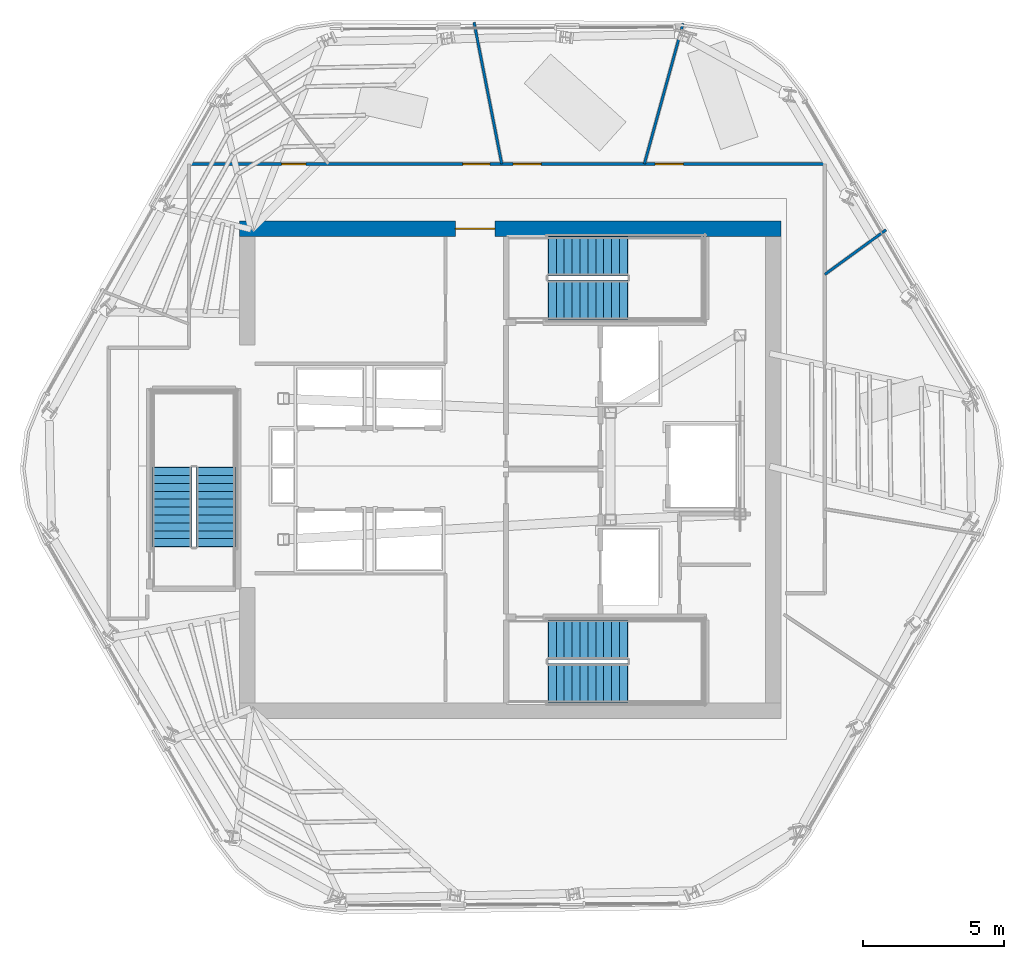
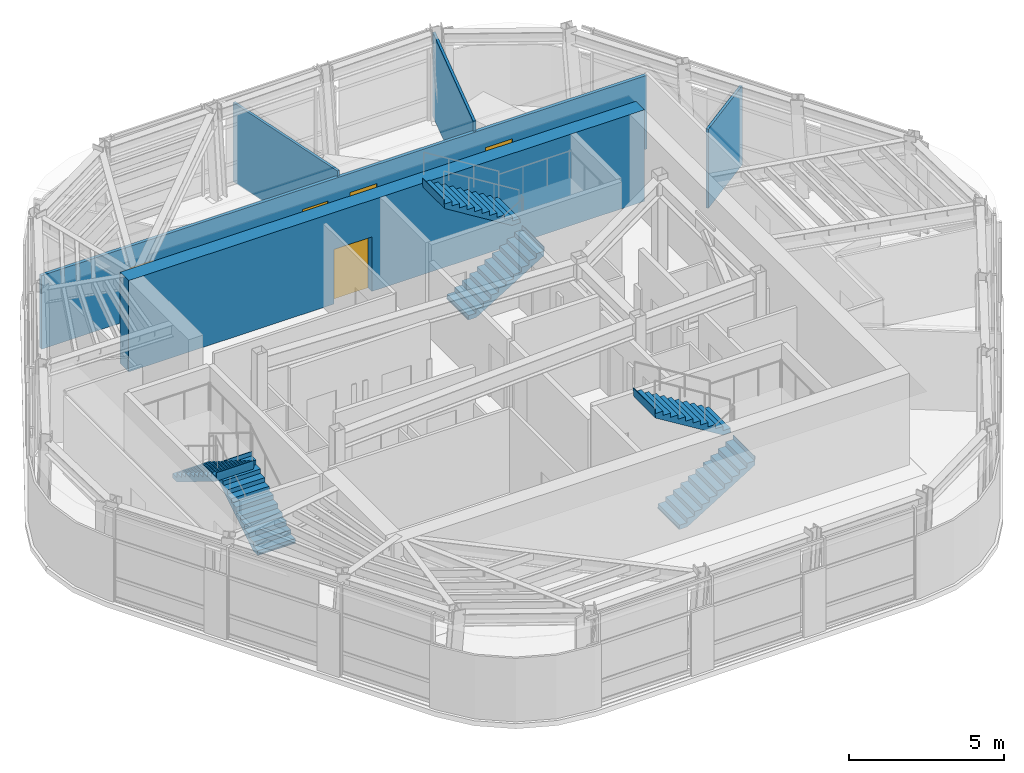
# One storey, part 8 of 13: 6 stair flights, 5 doors, 5 walls, 5 openings, 3 elements without a shape of their own.
"""IFC4 building model written with IfcOpenShell, lengths in metres."""

from ifc_helpers import new_model, si_unit, direction, frame, frame_2d, origin, place, context, subcontext, project, spatial, polyline, rectangle, outline, extrude, material, layer, layer_set, type_object, element, fill, aggregate, save


model = new_model("IFC4")

# Units and contexts
model_context = context("Model", 3, precision=1e-05, world=origin(), true_north=direction((0.0, 1.0)))
body_context = subcontext(model_context, "Body", "Model", "MODEL_VIEW")
ifc_project = project(units=[si_unit("LENGTHUNIT", "METRE"), si_unit("AREAUNIT", "SQUARE_METRE"), si_unit("VOLUMEUNIT", "CUBIC_METRE"), si_unit("PLANEANGLEUNIT", "RADIAN"), si_unit("MASSUNIT", "GRAM", prefix="KILO")], contexts=[model_context])

# Site, building, storey
site_placement = place(None, origin())
site = spatial("IfcSite", under=ifc_project, at=site_placement, CompositionType="ELEMENT")
building_placement = place(site_placement, origin())
building = spatial("IfcBuilding", under=site, at=building_placement, Name="Valkerne Bourse Tower", CompositionType="ELEMENT")
storey_placement = place(building_placement, frame((0.0, 0.0, 285.0)))
storey = spatial("IfcBuildingStorey", under=building, at=storey_placement, Name="L72", CompositionType="ELEMENT", Elevation=285.0)

# Wall, opening, door
ifc_material_1 = material(Name="Concrete C55/67", Category="concrete")
ifc_layer_1 = layer(ifc_material_1, 0.550048828125)
ifc_layer_set_1 = layer_set([ifc_layer_1], Name="Concrete C55/67")
wall_type_1 = type_object("IfcWallType", Name="W-CORE-550", PredefinedType="SHEAR", material=ifc_layer_set_1)
wall_1_placement = place(storey_placement, frame((37.199951171875, 35.425048828125, 0.0), z_axis=(0.0, 0.0, 1.0), x_axis=(1.0, 0.0, 0.0)))
wall_1 = element("IfcWall", 1, at=wall_1_placement, inside=storey, type_object=wall_type_1, Name="L72 Core Shear Wall NORTH", PredefinedType="SHEAR", context=body_context, shape_type="SweptSolid", body=[
    extrude(rectangle(XDim=19.199951171875, YDim=0.550048828125, at=frame_2d((9.60009765625, 0.0))), origin(), (0.0, 0.0, 1.0), 3.60009765625),
])
opening_1_placement = place(wall_1_placement, frame((7.64990234375, 0.0, 0.0)))
opening_1 = element("IfcOpeningElement", 2, at=opening_1_placement, cuts=wall_1, Name="Opening D-PL-1400", PredefinedType="OPENING", context=body_context, shape_type="SweptSolid", body=[
    extrude(rectangle(XDim=1.39990234375, YDim=2.14990234375, at=frame_2d((0.699951171875, 1.074951171875))), frame((0.0, 0.284912109375, 0.0), z_axis=(0.0, -1.0, 0.0), x_axis=(1.0, 0.0, 0.0)), (0.0, 0.0, 1.0), 0.570068359375),
])
ifc_material_2 = material(Name="Galvanised Painted Steel", Category="steel")
door_type_1 = type_object("IfcDoorType", Name="DR-PLT-1400", OperationType="DOUBLE_DOOR_SINGLE_SWING", PredefinedType="DOOR", material=ifc_material_2)
door_1_placement = place(opening_1_placement, origin())
door_1 = element("IfcDoor", 3, at=door_1_placement, inside=storey, type_object=door_type_1, Name="L72 North Passenger Lift Hall Fire Door", OperationType="DOUBLE_DOOR_SINGLE_SWING", OverallHeight=2.14990234375, OverallWidth=1.39990234375, PredefinedType="DOOR", context=body_context, shape_type="SweptSolid", body=[
    extrude(rectangle(XDim=1.39990234375, YDim=2.14990234375, at=frame_2d((0.699951171875, 1.074951171875))), frame((0.0, 0.02490234375, 0.0), z_axis=(0.0, -1.0, 0.0), x_axis=(1.0, 0.0, 0.0)), (0.0, 0.0, 1.0), 0.050048828125),
])
fill(opening_1, door_1)

# Wall, openings, doors
ifc_material_3 = material(Name="Gypsum Board Steel-Stud Partition", Category="steel")
ifc_layer_2 = layer(ifc_material_3, 0.117919921875)
ifc_layer_set_2 = layer_set([ifc_layer_2], Name="Gypsum Board Steel-Stud Partition")
wall_type_2 = type_object("IfcWallType", Name="W-CORR-140", PredefinedType="PARTITIONING", material=ifc_layer_set_2)
wall_2_placement = place(storey_placement, frame((35.39990234375, 37.719970703125, 0.0), z_axis=(0.0, 0.0, 1.0), x_axis=(1.0, 0.0, 0.0)))
wall_2 = element("IfcWall", 4, at=wall_2_placement, inside=storey, type_object=wall_type_2, Name="L72 Corridor Enclosure Wall", PredefinedType="PARTITIONING", context=body_context, shape_type="SweptSolid", body=[
    extrude(rectangle(XDim=22.550048828125, YDim=0.117919921875, at=frame_2d((11.27490234375, 0.0))), origin(), (0.0, 0.0, 1.0), 2.896484375),
])
opening_2_placement = place(wall_2_placement, frame((3.284912109375, 0.0, 0.0)))
opening_2 = element("IfcOpeningElement", 5, at=opening_2_placement, cuts=wall_2, Name="Opening D-WC-900", PredefinedType="OPENING", context=body_context, shape_type="SweptSolid", body=[
    extrude(rectangle(XDim=0.860107421875, YDim=2.050048828125, at=frame_2d((0.43017578125, 1.02490234375))), frame((0.0, 0.06884765625, 0.0), z_axis=(0.0, -1.0, 0.0), x_axis=(1.0, 0.0, 0.0)), (0.0, 0.0, 1.0), 0.137939453125),
])
opening_3_placement = place(wall_2_placement, frame((16.534912109375, 0.0, 0.0)))
opening_3 = element("IfcOpeningElement", 6, at=opening_3_placement, cuts=wall_2, Name="Opening D-MG-1000", PredefinedType="OPENING", context=body_context, shape_type="SweptSolid", body=[
    extrude(rectangle(XDim=1.0, YDim=2.14990234375, at=frame_2d((0.5, 1.074951171875))), frame((0.0, 0.06884765625, 0.0), z_axis=(0.0, -1.0, 0.0), x_axis=(1.0, 0.0, 0.0)), (0.0, 0.0, 1.0), 0.137939453125),
])
opening_4_placement = place(wall_2_placement, frame((11.4951171875, 0.0, 0.0)))
opening_4 = element("IfcOpeningElement", 7, at=opening_4_placement, cuts=wall_2, Name="Opening D-MG-1000", PredefinedType="OPENING", context=body_context, shape_type="SweptSolid", body=[
    extrude(rectangle(XDim=1.0, YDim=2.14990234375, at=frame_2d((0.5, 1.074951171875))), frame((0.0, 0.06884765625, 0.0), z_axis=(0.0, -1.0, 0.0), x_axis=(1.0, 0.0, 0.0)), (0.0, 0.0, 1.0), 0.137939453125),
])
opening_5_placement = place(wall_2_placement, frame((9.719970703125, 0.0, 0.0)))
opening_5 = element("IfcOpeningElement", 8, at=opening_5_placement, cuts=wall_2, Name="Opening D-OF-950", PredefinedType="OPENING", context=body_context, shape_type="SweptSolid", body=[
    extrude(rectangle(XDim=0.949951171875, YDim=2.10009765625, at=frame_2d((0.47509765625, 1.050048828125))), frame((0.0, 0.06884765625, 0.0), z_axis=(0.0, -1.0, 0.0), x_axis=(1.0, 0.0, 0.0)), (0.0, 0.0, 1.0), 0.137939453125),
])
ifc_material_4 = material(Name="Laminated Tempered Safety Glass", Category="glass")
door_type_2 = type_object("IfcDoorType", Name="DR-MTG-1000", OperationType="NOTDEFINED", PredefinedType="DOOR", material=ifc_material_4)
door_2_placement = place(opening_3_placement, origin())
door_2 = element("IfcDoor", 9, at=door_2_placement, inside=storey, type_object=door_type_2, Name="L72 L72 Client Strategy Conference Room 3 Door", OperationType="SINGLE_SWING_RIGHT", OverallHeight=2.14990234375, OverallWidth=1.0, PredefinedType="DOOR", context=body_context, shape_type="SweptSolid", body=[
    extrude(rectangle(XDim=1.0, YDim=2.14990234375, at=frame_2d((0.5, 1.074951171875))), frame((0.0, 0.02490234375, 0.0), z_axis=(0.0, -1.0, 0.0), x_axis=(1.0, 0.0, 0.0)), (0.0, 0.0, 1.0), 0.050048828125),
])
fill(opening_3, door_2)
door_3_placement = place(opening_4_placement, origin())
door_3 = element("IfcDoor", 10, at=door_3_placement, inside=storey, type_object=door_type_2, Name="L72 L72 Client Strategy Conference Room 4 Door", OperationType="SINGLE_SWING_RIGHT", OverallHeight=2.14990234375, OverallWidth=1.0, PredefinedType="DOOR", context=body_context, shape_type="SweptSolid", body=[
    extrude(rectangle(XDim=1.0, YDim=2.14990234375, at=frame_2d((0.5, 1.074951171875))), frame((0.0, 0.02490234375, 0.0), z_axis=(0.0, -1.0, 0.0), x_axis=(1.0, 0.0, 0.0)), (0.0, 0.0, 1.0), 0.050048828125),
])
fill(opening_4, door_3)
ifc_material_5 = material(Name="Architectural White Oak Timber", Category="wood")
door_type_3 = type_object("IfcDoorType", Name="DR-OFF-950", OperationType="NOTDEFINED", PredefinedType="DOOR", material=ifc_material_5)
door_4_placement = place(opening_5_placement, origin())
door_4 = element("IfcDoor", 11, at=door_4_placement, inside=storey, type_object=door_type_3, Name="L72 L72 Commodities Market Showroom 5 Door", OperationType="SINGLE_SWING_RIGHT", OverallHeight=2.10009765625, OverallWidth=0.949951171875, PredefinedType="DOOR", context=body_context, shape_type="SweptSolid", body=[
    extrude(rectangle(XDim=0.949951171875, YDim=2.10009765625, at=frame_2d((0.47509765625, 1.050048828125))), frame((0.0, 0.02490234375, 0.0), z_axis=(0.0, -1.0, 0.0), x_axis=(1.0, 0.0, 0.0)), (0.0, 0.0, 1.0), 0.050048828125),
])
fill(opening_5, door_4)
door_type_4 = type_object("IfcDoorType", Name="DR-WC-900", OperationType="NOTDEFINED", PredefinedType="DOOR", material=ifc_material_5)
door_5_placement = place(opening_2_placement, origin())
door_5 = element("IfcDoor", 12, at=door_5_placement, inside=storey, type_object=door_type_4, Name="L72 L72 Men Bathroom WC 1 Door", OperationType="SINGLE_SWING_RIGHT", OverallHeight=2.050048828125, OverallWidth=0.860107421875, PredefinedType="DOOR", context=body_context, shape_type="SweptSolid", body=[
    extrude(rectangle(XDim=0.860107421875, YDim=2.050048828125, at=frame_2d((0.43017578125, 1.02490234375))), frame((0.0, 0.02490234375, 0.0), z_axis=(0.0, -1.0, 0.0), x_axis=(1.0, 0.0, 0.0)), (0.0, 0.0, 1.0), 0.050048828125),
])
fill(opening_2, door_5)

# Walls
ifc_layer_3 = layer(ifc_material_3, 0.092041015625)
ifc_layer_set_3 = layer_set([ifc_layer_3], Name="Gypsum Board Steel-Stud Partition")
wall_type_3 = type_object("IfcWallType", Name="W-PART-115", PredefinedType="PARTITIONING", material=ifc_layer_set_3)
wall_3_placement = place(storey_placement, frame((51.55419921875, 37.72509765625, 0.0), z_axis=(0.0, 0.0, 1.0), x_axis=(0.265570298049, 0.964091498144, 0.0)))
element("IfcWall", 13, at=wall_3_placement, inside=storey, type_object=wall_type_3, Name="L72 Suite Partition P01", PredefinedType="PARTITIONING", context=body_context, shape_type="SweptSolid", body=[
    extrude(rectangle(XDim=5.169189453125, YDim=0.092041015625, at=frame_2d((2.58447265625, 0.0))), origin(), (0.0, 0.0, 1.0), 3.300048828125),
])
wall_4_placement = place(storey_placement, frame((46.495849609375, 37.72509765625, 0.0), z_axis=(0.0, 0.0, 1.0), x_axis=(-0.192508171196, 0.981295370428, 0.0)))
element("IfcWall", 14, at=wall_4_placement, inside=storey, type_object=wall_type_3, Name="L72 Suite Partition P02", PredefinedType="PARTITIONING", context=body_context, shape_type="SweptSolid", body=[
    extrude(rectangle(XDim=5.115966796875, YDim=0.092041015625, at=frame_2d((2.55810546875, 0.0))), origin(), (0.0, 0.0, 1.0), 3.114990234375),
])
wall_5_placement = place(storey_placement, frame((57.955078125, 33.8037109375, 0.0), z_axis=(0.0, 0.0, 1.0), x_axis=(0.808669290952, 0.588263527572, 0.0)))
element("IfcWall", 15, at=wall_5_placement, inside=storey, type_object=wall_type_3, Name="L72 Suite Partition P07", PredefinedType="PARTITIONING", context=body_context, shape_type="SweptSolid", body=[
    extrude(rectangle(XDim=2.687255859375, YDim=0.092041015625, at=frame_2d((1.34375, 0.0))), origin(), (0.0, 0.0, 1.0), 3.114990234375),
])

# Stair, stair flights
ifc_material_6 = material(Name="Concrete C40/50", Category="concrete")
stair_type = type_object("IfcStairType", Name="ST-CORE-1400", PredefinedType="HALF_TURN_STAIR", material=ifc_material_6)
stair_1_placement = place(storey_placement, origin())
stair_1 = element("IfcStair", 16, at=stair_1_placement, inside=storey, type_object=stair_type, Name="L72 ST-1", PredefinedType="HALF_TURN_STAIR")
stair_flight_type = type_object("IfcStairFlightType", Name="STF-CORE-1400", PredefinedType="STRAIGHT", material=ifc_material_6)
stair_flight_1_placement = place(storey_placement, frame((48.14990234375, 19.300048828125, 0.0), z_axis=(0.0, 0.0, 1.0), x_axis=(1.0, 0.0, 0.0)))
stair_flight_1 = element("IfcStairFlight", 17, at=stair_flight_1_placement, type_object=stair_flight_type, Name="ST-1 flight 1", NumberOfRisers=11, NumberOfTreads=10, PredefinedType="STRAIGHT", RiserHeight=0.172727273, TreadLength=0.28, context=body_context, shape_type="SweptSolid", body=[
    extrude(outline(polyline([(-0.02001953125, 0.0), (-0.02001953125, 0.044921875), (0.0, 0.044921875), (0.0, 0.172607421875), (0.280029296875, 0.172607421875), (0.280029296875, 0.345458984375), (0.56005859375, 0.345458984375), (0.56005859375, 0.51806640625), (0.840087890625, 0.51806640625), (0.840087890625, 0.69091796875), (1.1201171875, 0.69091796875), (1.1201171875, 0.863525390625), (1.39990234375, 0.863525390625), (1.39990234375, 1.036376953125), (1.679931640625, 1.036376953125), (1.679931640625, 1.208984375), (1.9599609375, 1.208984375), (1.9599609375, 1.3818359375), (2.239990234375, 1.3818359375), (2.239990234375, 1.554443359375), (2.52001953125, 1.554443359375), (2.52001953125, 1.727294921875), (2.800048828125, 1.727294921875), (2.800048828125, 1.89990234375), (2.820068359375, 1.89990234375), (2.820068359375, 1.780029296875), (2.800048828125, 1.551025390625), (0.285400390625, 0.0), (-0.02001953125, 0.0)])), frame((0.0, 0.699951171875, 0.0), z_axis=(0.0, -1.0, 0.0), x_axis=(1.0, 0.0, 0.0)), (0.0, 0.0, 1.0), 1.39990234375),
])
stair_flight_2_placement = place(storey_placement, frame((50.949951171875, 20.85009765625, 1.89990234375), z_axis=(0.0, 0.0, 1.0), x_axis=(-1.0, 0.0, 0.0)))
stair_flight_2 = element("IfcStairFlight", 18, at=stair_flight_2_placement, type_object=stair_flight_type, Name="ST-1 flight 2", NumberOfRisers=11, NumberOfTreads=10, PredefinedType="STRAIGHT", RiserHeight=0.172727273, TreadLength=0.28, context=body_context, shape_type="SweptSolid", body=[
    extrude(outline(polyline([(-0.02001953125, 0.0), (-0.02001953125, 0.044921875), (0.0, 0.044921875), (0.0, 0.172607421875), (0.280029296875, 0.172607421875), (0.280029296875, 0.345458984375), (0.56005859375, 0.345458984375), (0.56005859375, 0.51806640625), (0.840087890625, 0.51806640625), (0.840087890625, 0.69091796875), (1.1201171875, 0.69091796875), (1.1201171875, 0.863525390625), (1.39990234375, 0.863525390625), (1.39990234375, 1.036376953125), (1.679931640625, 1.036376953125), (1.679931640625, 1.208984375), (1.9599609375, 1.208984375), (1.9599609375, 1.3818359375), (2.239990234375, 1.3818359375), (2.239990234375, 1.554443359375), (2.52001953125, 1.554443359375), (2.52001953125, 1.727294921875), (2.800048828125, 1.727294921875), (2.800048828125, 1.89990234375), (2.820068359375, 1.89990234375), (2.820068359375, 1.780029296875), (2.800048828125, 1.551025390625), (0.285400390625, 0.0), (-0.02001953125, 0.0)])), frame((0.0, 0.699951171875, 0.0), z_axis=(0.0, -1.0, 0.0), x_axis=(1.0, 0.0, 0.0)), (0.0, 0.0, 1.0), 1.39990234375),
])
aggregate(stair_1, [stair_flight_1, stair_flight_2])

stair_2_placement = place(storey_placement, origin())
stair_2 = element("IfcStair", 19, at=stair_2_placement, inside=storey, type_object=stair_type, Name="L72 ST-2", PredefinedType="HALF_TURN_STAIR")
stair_flight_3_placement = place(storey_placement, frame((48.14990234375, 32.89990234375, 0.0), z_axis=(0.0, 0.0, 1.0), x_axis=(1.0, 0.0, 0.0)))
stair_flight_3 = element("IfcStairFlight", 20, at=stair_flight_3_placement, type_object=stair_flight_type, Name="ST-2 flight 1", NumberOfRisers=11, NumberOfTreads=10, PredefinedType="STRAIGHT", RiserHeight=0.172727273, TreadLength=0.28, context=body_context, shape_type="SweptSolid", body=[
    extrude(outline(polyline([(-0.02001953125, 0.0), (-0.02001953125, 0.044921875), (0.0, 0.044921875), (0.0, 0.172607421875), (0.280029296875, 0.172607421875), (0.280029296875, 0.345458984375), (0.56005859375, 0.345458984375), (0.56005859375, 0.51806640625), (0.840087890625, 0.51806640625), (0.840087890625, 0.69091796875), (1.1201171875, 0.69091796875), (1.1201171875, 0.863525390625), (1.39990234375, 0.863525390625), (1.39990234375, 1.036376953125), (1.679931640625, 1.036376953125), (1.679931640625, 1.208984375), (1.9599609375, 1.208984375), (1.9599609375, 1.3818359375), (2.239990234375, 1.3818359375), (2.239990234375, 1.554443359375), (2.52001953125, 1.554443359375), (2.52001953125, 1.727294921875), (2.800048828125, 1.727294921875), (2.800048828125, 1.89990234375), (2.820068359375, 1.89990234375), (2.820068359375, 1.780029296875), (2.800048828125, 1.551025390625), (0.285400390625, 0.0), (-0.02001953125, 0.0)])), frame((0.0, 0.699951171875, 0.0), z_axis=(0.0, -1.0, 0.0), x_axis=(1.0, 0.0, 0.0)), (0.0, 0.0, 1.0), 1.39990234375),
])
stair_flight_4_placement = place(storey_placement, frame((50.949951171875, 34.449951171875, 1.89990234375), z_axis=(0.0, 0.0, 1.0), x_axis=(-1.0, 0.0, 0.0)))
stair_flight_4 = element("IfcStairFlight", 21, at=stair_flight_4_placement, type_object=stair_flight_type, Name="ST-2 flight 2", NumberOfRisers=11, NumberOfTreads=10, PredefinedType="STRAIGHT", RiserHeight=0.172727273, TreadLength=0.28, context=body_context, shape_type="SweptSolid", body=[
    extrude(outline(polyline([(-0.02001953125, 0.0), (-0.02001953125, 0.044921875), (0.0, 0.044921875), (0.0, 0.172607421875), (0.280029296875, 0.172607421875), (0.280029296875, 0.345458984375), (0.56005859375, 0.345458984375), (0.56005859375, 0.51806640625), (0.840087890625, 0.51806640625), (0.840087890625, 0.69091796875), (1.1201171875, 0.69091796875), (1.1201171875, 0.863525390625), (1.39990234375, 0.863525390625), (1.39990234375, 1.036376953125), (1.679931640625, 1.036376953125), (1.679931640625, 1.208984375), (1.9599609375, 1.208984375), (1.9599609375, 1.3818359375), (2.239990234375, 1.3818359375), (2.239990234375, 1.554443359375), (2.52001953125, 1.554443359375), (2.52001953125, 1.727294921875), (2.800048828125, 1.727294921875), (2.800048828125, 1.89990234375), (2.820068359375, 1.89990234375), (2.820068359375, 1.780029296875), (2.800048828125, 1.551025390625), (0.285400390625, 0.0), (-0.02001953125, 0.0)])), frame((0.0, 0.699951171875, 0.0), z_axis=(0.0, -1.0, 0.0), x_axis=(1.0, 0.0, 0.0)), (0.0, 0.0, 1.0), 1.39990234375),
])
aggregate(stair_2, [stair_flight_3, stair_flight_4])

stair_3_placement = place(storey_placement, origin())
stair_3 = element("IfcStair", 22, at=stair_3_placement, inside=storey, type_object=stair_type, Name="L72 ST-3", PredefinedType="HALF_TURN_STAIR")
stair_flight_5_placement = place(storey_placement, frame((36.35009765625, 24.14990234375, 0.0), z_axis=(0.0, 0.0, 1.0), x_axis=(0.0, 1.0, 0.0)))
stair_flight_5 = element("IfcStairFlight", 23, at=stair_flight_5_placement, type_object=stair_flight_type, Name="ST-3 flight 1", NumberOfRisers=11, NumberOfTreads=10, PredefinedType="STRAIGHT", RiserHeight=0.172727273, TreadLength=0.28, context=body_context, shape_type="SweptSolid", body=[
    extrude(outline(polyline([(-0.02001953125, 0.0), (-0.02001953125, 0.044921875), (0.0, 0.044921875), (0.0, 0.172607421875), (0.280029296875, 0.172607421875), (0.280029296875, 0.345458984375), (0.56005859375, 0.345458984375), (0.56005859375, 0.51806640625), (0.840087890625, 0.51806640625), (0.840087890625, 0.69091796875), (1.1201171875, 0.69091796875), (1.1201171875, 0.863525390625), (1.39990234375, 0.863525390625), (1.39990234375, 1.036376953125), (1.679931640625, 1.036376953125), (1.679931640625, 1.208984375), (1.9599609375, 1.208984375), (1.9599609375, 1.3818359375), (2.239990234375, 1.3818359375), (2.239990234375, 1.554443359375), (2.52001953125, 1.554443359375), (2.52001953125, 1.727294921875), (2.800048828125, 1.727294921875), (2.800048828125, 1.89990234375), (2.820068359375, 1.89990234375), (2.820068359375, 1.780029296875), (2.800048828125, 1.551025390625), (0.285400390625, 0.0), (-0.02001953125, 0.0)])), frame((0.0, 0.699951171875, 0.0), z_axis=(0.0, -1.0, 0.0), x_axis=(1.0, 0.0, 0.0)), (0.0, 0.0, 1.0), 1.39990234375),
])
stair_flight_6_placement = place(storey_placement, frame((34.800048828125, 26.949951171875, 1.89990234375), z_axis=(0.0, 0.0, 1.0), x_axis=(0.0, -1.0, 0.0)))
stair_flight_6 = element("IfcStairFlight", 24, at=stair_flight_6_placement, type_object=stair_flight_type, Name="ST-3 flight 2", NumberOfRisers=11, NumberOfTreads=10, PredefinedType="STRAIGHT", RiserHeight=0.172727273, TreadLength=0.28, context=body_context, shape_type="SweptSolid", body=[
    extrude(outline(polyline([(-0.02001953125, 0.0), (-0.02001953125, 0.044921875), (0.0, 0.044921875), (0.0, 0.172607421875), (0.280029296875, 0.172607421875), (0.280029296875, 0.345458984375), (0.56005859375, 0.345458984375), (0.56005859375, 0.51806640625), (0.840087890625, 0.51806640625), (0.840087890625, 0.69091796875), (1.1201171875, 0.69091796875), (1.1201171875, 0.863525390625), (1.39990234375, 0.863525390625), (1.39990234375, 1.036376953125), (1.679931640625, 1.036376953125), (1.679931640625, 1.208984375), (1.9599609375, 1.208984375), (1.9599609375, 1.3818359375), (2.239990234375, 1.3818359375), (2.239990234375, 1.554443359375), (2.52001953125, 1.554443359375), (2.52001953125, 1.727294921875), (2.800048828125, 1.727294921875), (2.800048828125, 1.89990234375), (2.820068359375, 1.89990234375), (2.820068359375, 1.780029296875), (2.800048828125, 1.551025390625), (0.285400390625, 0.0), (-0.02001953125, 0.0)])), frame((0.0, 0.699951171875, 0.0), z_axis=(0.0, -1.0, 0.0), x_axis=(1.0, 0.0, 0.0)), (0.0, 0.0, 1.0), 1.39990234375),
])
aggregate(stair_3, [stair_flight_5, stair_flight_6])

save(model, "model.ifc")
